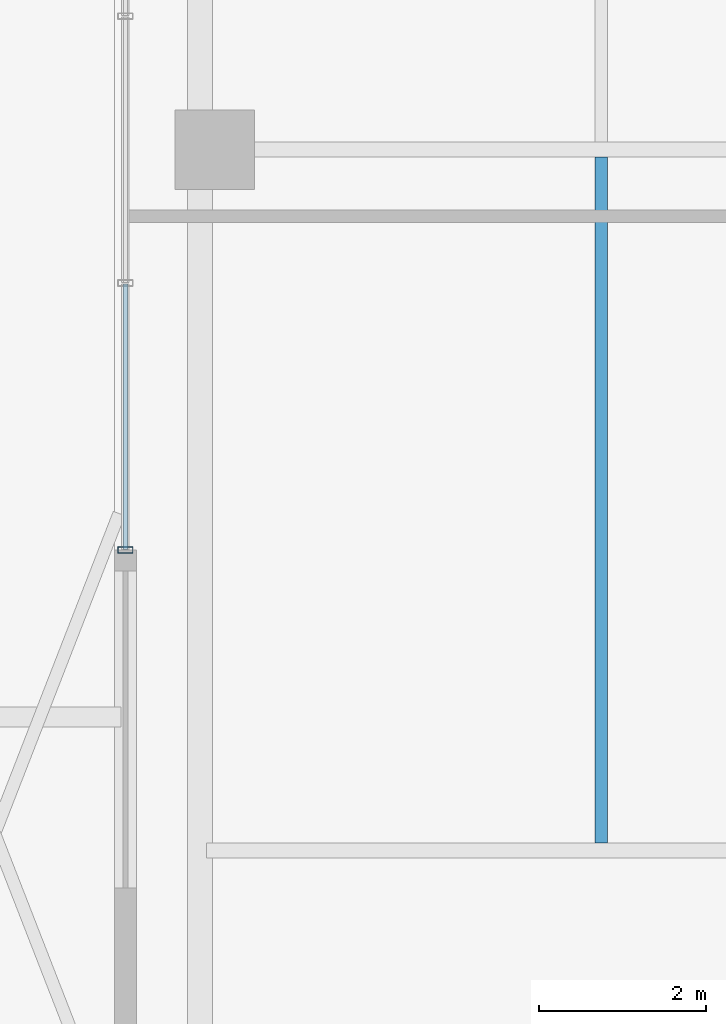
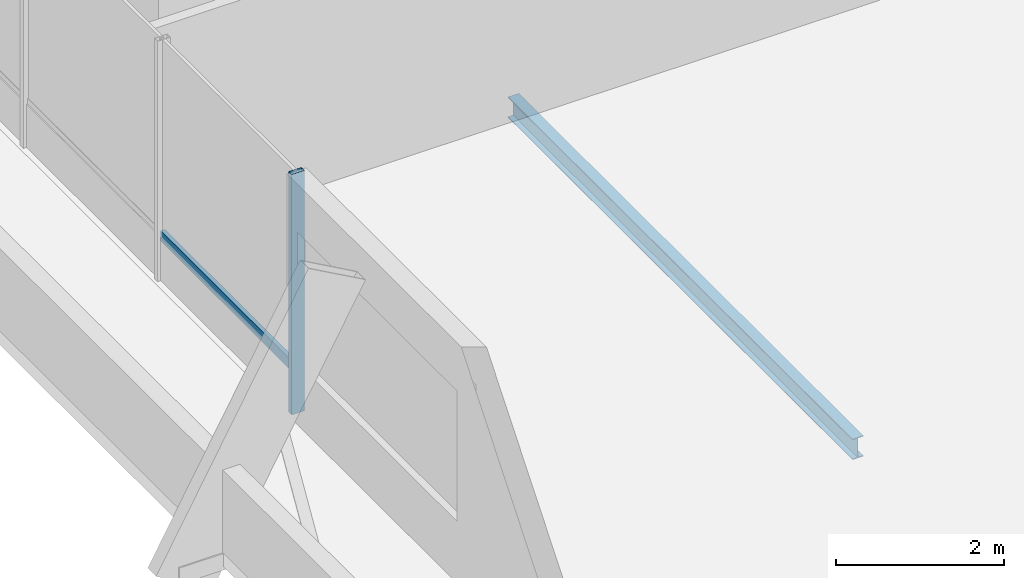
# One storey, part 4 of 17: 2 members, 1 beam, 1 element without a shape of its own.
"""IFC4 building model written with IfcOpenShell, lengths in metres."""

from ifc_helpers import new_model, si_unit, direction, frame, origin, origin_2d, place, context, subcontext, project, spatial, hollow_rectangle, i_section, extrude, material, layer, layer_set, material_profile, profile_set, type_object, element, aggregate, save


model = new_model("IFC4")

# Units and contexts
model_context = context("Model", 3, precision=1e-05, world=origin(), true_north=direction((0.0, 1.0)))
body_context = subcontext(model_context, "Body", "Model", "MODEL_VIEW")
ifc_project = project(units=[si_unit("LENGTHUNIT", "METRE"), si_unit("AREAUNIT", "SQUARE_METRE"), si_unit("VOLUMEUNIT", "CUBIC_METRE"), si_unit("PLANEANGLEUNIT", "RADIAN"), si_unit("MASSUNIT", "GRAM", prefix="KILO")], contexts=[model_context])

# Site, building, storey
site_placement = place(None, origin())
site = spatial("IfcSite", under=ifc_project, at=site_placement, CompositionType="ELEMENT")
building_placement = place(site_placement, origin())
building = spatial("IfcBuilding", under=site, at=building_placement, Name="Belovzor Exchange Tower", CompositionType="ELEMENT")
storey_placement = place(building_placement, frame((0.0, 0.0, 246.60009765625)))
storey = spatial("IfcBuildingStorey", under=building, at=storey_placement, Name="L61", CompositionType="ELEMENT", Elevation=246.60009765625)

# Beam
ifc_material_1 = material(Name="Steel S355", Category="steel")
ifc_material_profile_1 = material_profile(ifc_material_1, i_section(OverallWidth=0.14990234375, OverallDepth=0.300048828125, WebThickness=0.007080078125, FlangeThickness=0.0107421875, at=origin_2d()))
ifc_profile_set_1 = profile_set([ifc_material_profile_1], Name="Steel S355")
beam_type = type_object("IfcBeamType", Name="Secondary Trim Floor Joist IPE 300", PredefinedType="BEAM", material=ifc_profile_set_1)
beam_placement = place(storey_placement, frame((9.736083984375, 20.489990234375, -0.400146484375), z_axis=(0.0, 1.0, 0.0), x_axis=(-1.0, 0.0, 0.0)))
element("IfcBeam", 1, at=beam_placement, inside=storey, type_object=beam_type, Name="FJ-300 Secondary Trim Floor Joist IPE 300", PredefinedType="BEAM", context=body_context, shape_type="SweptSolid", body=[
    extrude(i_section(OverallWidth=0.14990234375, OverallDepth=0.300048828125, WebThickness=0.007080078125, FlangeThickness=0.0107421875, at=origin_2d()), origin(), (0.0, 0.0, 1.0), 8.219970703125),
])

# Curtain wall, members
ifc_material_2 = material(Name="Anodised Aluminium Framing", Category="aluminium")
ifc_layer = layer(ifc_material_2, 0.179931640625)
ifc_layer_set = layer_set([ifc_layer], Name="Anodised Aluminium Framing")
curtain_wall_type = type_object("IfcCurtainWallType", Name="Recessed Loggia Low-Iron Triple-Glazed Curtain Wall", PredefinedType="NOTDEFINED", material=ifc_layer_set)
curtain_wall_placement = place(storey_placement, origin())
curtain_wall = element("IfcCurtainWall", 2, at=curtain_wall_placement, inside=storey, type_object=curtain_wall_type, Name="CW3 Recessed Loggia Low-Iron Triple-Glazed Curtain Wall L61", PredefinedType="NOTDEFINED")
ifc_material_3 = material(Name="Steel S355", Category="steel")
ifc_material_profile_2 = material_profile(ifc_material_3, hollow_rectangle(XDim=0.074951171875, YDim=0.179931640625, WallThickness=0.0048828125, at=origin_2d()))
ifc_profile_set_2 = profile_set([ifc_material_profile_2], Name="Steel S355")
member_type_1 = type_object("IfcMemberType", Name="Thermally Broken Curtain Wall Mullion 180x75", PredefinedType="MULLION", material=ifc_profile_set_2)
member_1_placement = place(storey_placement, frame((4.030029296875, 24.0, 0.0), z_axis=(0.0, 0.0, 1.0), x_axis=(0.0, 1.0, 0.0)))
member_1 = element("IfcMember", 3, at=member_1_placement, type_object=member_type_1, Name="CW-M180 Curtain Wall Mullion 1", PredefinedType="MULLION", context=body_context, shape_type="SweptSolid", body=[
    extrude(hollow_rectangle(XDim=0.074951171875, YDim=0.179931640625, WallThickness=0.0048828125, at=origin_2d()), origin(), (0.0, 0.0, 1.0), 3.5),
])
ifc_material_4 = material(Name="Steel S355", Category="steel")
ifc_material_profile_3 = material_profile(ifc_material_4, hollow_rectangle(XDim=0.06005859375, YDim=0.14990234375, WallThickness=0.00390625, at=origin_2d()))
ifc_profile_set_3 = profile_set([ifc_material_profile_3], Name="Steel S355")
member_type_2 = type_object("IfcMemberType", Name="Thermally Broken Curtain Wall Transom 150x60", PredefinedType="USERDEFINED", material=ifc_profile_set_3)
member_2_placement = place(storey_placement, frame((4.030029296875, 24.008056640625, 0.6298828125), z_axis=(0.0, 1.0, 0.0), x_axis=(-1.0, 0.0, 0.0)))
member_2 = element("IfcMember", 4, at=member_2_placement, type_object=member_type_2, Name="CW-T150 Curtain Wall Transom 1", ObjectType="TRANSOM", PredefinedType="USERDEFINED", context=body_context, shape_type="SweptSolid", body=[
    extrude(hollow_rectangle(XDim=0.06005859375, YDim=0.14990234375, WallThickness=0.00390625, at=origin_2d()), origin(), (0.0, 0.0, 1.0), 3.183837890625),
])
aggregate(curtain_wall, [member_1, member_2])

save(model, "model.ifc")
